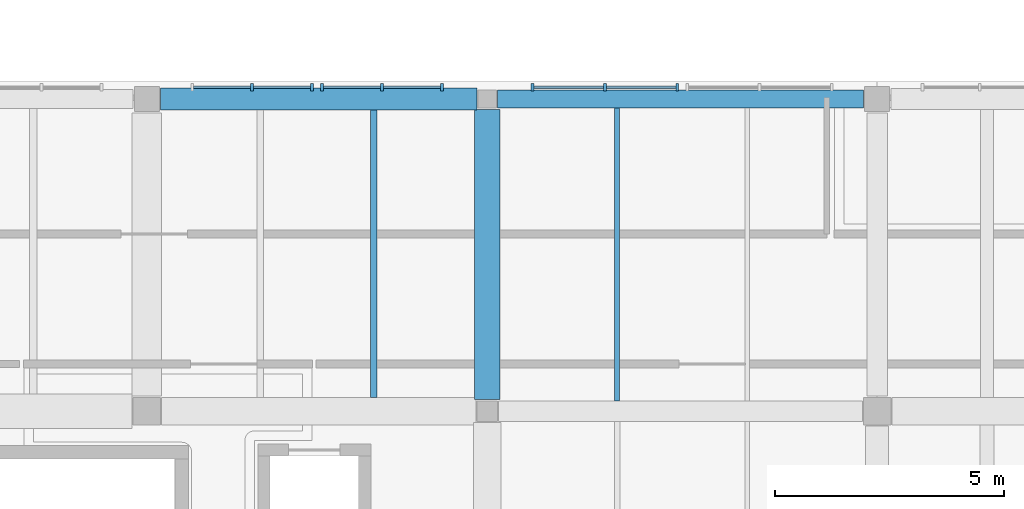
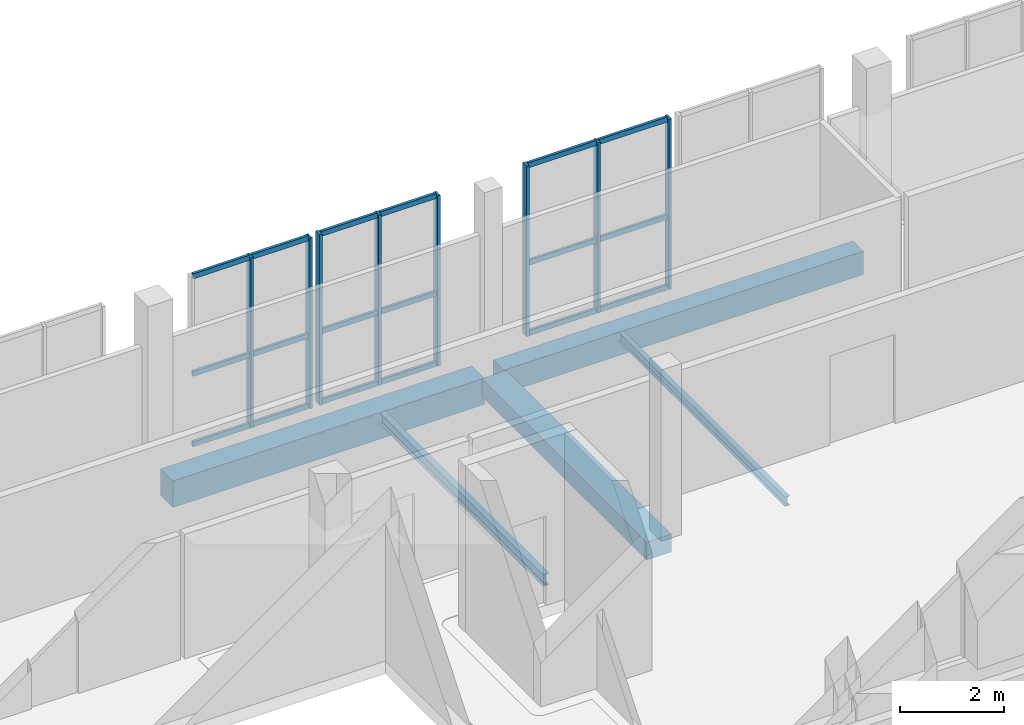
# One storey, part 12 of 56: 26 members, 5 beams, 3 elements without a shape of their own.
"""IFC4 building model written with IfcOpenShell, lengths in metres."""

from ifc_helpers import new_model, si_unit, direction, frame, origin, origin_2d, place, context, subcontext, project, spatial, rectangle, i_section, extrude, material, layer, layer_set, material_profile, profile_set, type_object, element, aggregate, save


model = new_model("IFC4")

# Units and contexts
model_context = context("Model", 3, precision=1e-05, world=origin(), true_north=direction((0.0, 1.0)))
body_context = subcontext(model_context, "Body", "Model", "MODEL_VIEW")
ifc_project = project(units=[si_unit("LENGTHUNIT", "METRE"), si_unit("AREAUNIT", "SQUARE_METRE"), si_unit("VOLUMEUNIT", "CUBIC_METRE"), si_unit("PLANEANGLEUNIT", "RADIAN"), si_unit("MASSUNIT", "GRAM", prefix="KILO")], contexts=[model_context])

# Site, building, storey
site_placement = place(None, origin())
site = spatial("IfcSite", under=ifc_project, at=site_placement, CompositionType="ELEMENT")
building_placement = place(site_placement, origin())
building = spatial("IfcBuilding", under=site, at=building_placement, Name="Vardoun Plaza Health Centre", CompositionType="ELEMENT")
storey_placement = place(building_placement, frame((0.0, 0.0, 8.699951171875)))
storey = spatial("IfcBuildingStorey", under=building, at=storey_placement, Name="L02", CompositionType="ELEMENT", Elevation=8.699951171875)

# Beams
ifc_material_1 = material(Name="Concrete C35/45", Category="concrete")
ifc_material_profile_1 = material_profile(ifc_material_1, rectangle(XDim=0.39990234375, YDim=0.550048828125, at=origin_2d()), Name="RC-BM 400x550")
ifc_profile_set_1 = profile_set([ifc_material_profile_1], Name="Concrete C35/45")
beam_type_1 = type_object("IfcBeamType", Name="B-09", PredefinedType="SPANDREL", material=ifc_profile_set_1)
beam_1_placement = place(storey_placement, frame((128.205078125, 18.52001953125, -0.570068359375), z_axis=(1.0, 0.0, 0.0), x_axis=(0.0, 1.0, 0.0)))
element("IfcBeam", 1, at=beam_1_placement, inside=storey, type_object=beam_type_1, Name="V5 L02 Beam B-V5-L02-X12", PredefinedType="SPANDREL", context=body_context, shape_type="SweptSolid", body=[
    extrude(rectangle(XDim=0.39990234375, YDim=0.550048828125, at=origin_2d()), origin(), (0.0, 0.0, 1.0), 7.994873046875),
])
ifc_material_2 = material(Name="Concrete C35/45", Category="concrete")
ifc_material_profile_2 = material_profile(ifc_material_2, rectangle(XDim=0.47998046875, YDim=0.6201171875, at=origin_2d()), Name="RC-BM 480x620")
ifc_profile_set_2 = profile_set([ifc_material_profile_2], Name="Concrete C35/45")
beam_type_2 = type_object("IfcBeamType", Name="B-12", PredefinedType="SPANDREL", material=ifc_profile_set_2)
beam_2_placement = place(storey_placement, frame((120.840087890625, 18.52001953125, -0.60498046875), z_axis=(1.0, 0.0, 0.0), x_axis=(0.0, 1.0, 0.0)))
element("IfcBeam", 2, at=beam_2_placement, inside=storey, type_object=beam_type_2, Name="V5 L02 Beam B-V5-L02-X09", PredefinedType="SPANDREL", context=body_context, shape_type="SweptSolid", body=[
    extrude(rectangle(XDim=0.47998046875, YDim=0.6201171875, at=origin_2d()), origin(), (0.0, 0.0, 1.0), 6.914794921875),
])
ifc_material_3 = material(Name="Concrete C35/45", Category="concrete")
ifc_material_profile_3 = material_profile(ifc_material_3, rectangle(XDim=0.550048828125, YDim=0.419921875, at=origin_2d()), Name="RC-BM 550x420")
ifc_profile_set_3 = profile_set([ifc_material_profile_3], Name="Concrete C35/45")
beam_type_3 = type_object("IfcBeamType", Name="B-03", PredefinedType="BEAM", material=ifc_profile_set_3)
beam_3_placement = place(storey_placement, frame((127.97998046875, 11.949951171875, -0.5048828125), z_axis=(0.0, 1.0, 0.0), x_axis=(-1.0, 0.0, 0.0)))
element("IfcBeam", 3, at=beam_3_placement, inside=storey, type_object=beam_type_3, Name="V5 L02 Beam B-V5-L02-Y31", PredefinedType="BEAM", context=body_context, shape_type="SweptSolid", body=[
    extrude(rectangle(XDim=0.550048828125, YDim=0.419921875, at=origin_2d()), origin(), (0.0, 0.0, 1.0), 6.344970703125),
])
ifc_material_4 = material(Name="Steel S355J2", Category="steel")
ifc_material_profile_4 = material_profile(ifc_material_4, i_section(OverallWidth=0.110107421875, OverallDepth=0.219970703125, WebThickness=0.005859375, FlangeThickness=0.00927734375, FilletRadius=0.011962890625, at=origin_2d()), Name="IPE 220")
ifc_profile_set_4 = profile_set([ifc_material_profile_4], Name="Steel S355J2")
beam_type_4 = type_object("IfcBeamType", Name="SB-18", PredefinedType="JOIST", material=ifc_profile_set_4)
beam_4_placement = place(storey_placement, frame((130.819580078125, 11.925048828125, -0.405029296875), z_axis=(0.0, 1.0, 0.0), x_axis=(-1.0, 0.0, 0.0)))
element("IfcBeam", 4, at=beam_4_placement, inside=storey, type_object=beam_type_4, Name="V5 L02 Secondary Floor Beam SJ-V5-L02-10", PredefinedType="JOIST", context=body_context, shape_type="SweptSolid", body=[
    extrude(i_section(OverallWidth=0.110107421875, OverallDepth=0.219970703125, WebThickness=0.005859375, FlangeThickness=0.00927734375, FilletRadius=0.011962890625, at=origin_2d()), origin(), (0.0, 0.0, 1.0), 6.39501953125),
])
ifc_material_5 = material(Name="Steel S355J2", Category="steel")
ifc_material_profile_5 = material_profile(ifc_material_5, i_section(OverallWidth=0.135009765625, OverallDepth=0.27001953125, WebThickness=0.006591796875, FlangeThickness=0.01025390625, FilletRadius=0.014892578125, at=origin_2d()), Name="IPE 270")
ifc_profile_set_5 = profile_set([ifc_material_profile_5], Name="Steel S355J2")
beam_type_5 = type_object("IfcBeamType", Name="SB-16", PredefinedType="JOIST", material=ifc_profile_set_5)
beam_5_placement = place(storey_placement, frame((125.500244140625, 12.0, -0.429931640625), z_axis=(0.0, 1.0, 0.0), x_axis=(-1.0, 0.0, 0.0)))
element("IfcBeam", 5, at=beam_5_placement, inside=storey, type_object=beam_type_5, Name="V5 L02 Secondary Floor Beam SJ-V5-L02-08", PredefinedType="JOIST", context=body_context, shape_type="SweptSolid", body=[
    extrude(i_section(OverallWidth=0.135009765625, OverallDepth=0.27001953125, WebThickness=0.006591796875, FlangeThickness=0.01025390625, FilletRadius=0.014892578125, at=origin_2d()), origin(), (0.0, 0.0, 1.0), 6.280029296875),
])

# Curtain wall, members
ifc_material_6 = material(Name="Aluminium Alloy EN AW-6063-T6 and Low-E Glass", Category="aluminium")
ifc_layer = layer(ifc_material_6, 0.14990234375)
ifc_layer_set = layer_set([ifc_layer], Name="Aluminium Alloy EN AW-6063-T6 and Low-E Glass")
curtain_wall_type = type_object("IfcCurtainWallType", Name="CW-03", PredefinedType="NOTDEFINED", material=ifc_layer_set)
curtain_wall_1_placement = place(storey_placement, origin())
curtain_wall_1 = element("IfcCurtainWall", 6, at=curtain_wall_1_placement, inside=storey, type_object=curtain_wall_type, Name="Curtain Wall CW-V5-169", PredefinedType="NOTDEFINED")
ifc_material_7 = material(Name="Aluminium Alloy EN AW-6063-T6", Category="aluminium")
ifc_material_profile_6 = material_profile(ifc_material_7, rectangle(XDim=0.159912109375, YDim=0.06005859375, at=origin_2d()), Name="CWM 60x160")
ifc_profile_set_6 = profile_set([ifc_material_profile_6], Name="Aluminium Alloy EN AW-6063-T6")
member_type_1 = type_object("IfcMemberType", Name="CW-M1", PredefinedType="MULLION", material=ifc_profile_set_6)
member_1_placement = place(storey_placement, frame((122.840087890625, 18.780029296875, 0.0), z_axis=(0.0, 0.0, 1.0), x_axis=(0.0, 1.0, 0.0)))
member_1 = element("IfcMember", 7, at=member_1_placement, type_object=member_type_1, Name="CW-V5-169 mullion 2", PredefinedType="MULLION", context=body_context, shape_type="SweptSolid", body=[
    extrude(rectangle(XDim=0.159912109375, YDim=0.06005859375, at=origin_2d()), origin(), (0.0, 0.0, 1.0), 4.005126953125),
])
member_2_placement = place(storey_placement, frame((124.150146484375, 18.780029296875, 0.0), z_axis=(0.0, 0.0, 1.0), x_axis=(0.0, 1.0, 0.0)))
member_2 = element("IfcMember", 8, at=member_2_placement, type_object=member_type_1, Name="CW-V5-169 mullion 3", PredefinedType="MULLION", context=body_context, shape_type="SweptSolid", body=[
    extrude(rectangle(XDim=0.159912109375, YDim=0.06005859375, at=origin_2d()), origin(), (0.0, 0.0, 1.0), 4.005126953125),
])

curtain_wall_2_placement = place(storey_placement, origin())
curtain_wall_2 = element("IfcCurtainWall", 9, at=curtain_wall_2_placement, inside=storey, type_object=curtain_wall_type, Name="Curtain Wall CW-V5-170", PredefinedType="NOTDEFINED")
member_3_placement = place(storey_placement, frame((124.3701171875, 18.780029296875, 0.0), z_axis=(0.0, 0.0, 1.0), x_axis=(0.0, 1.0, 0.0)))
member_3 = element("IfcMember", 10, at=member_3_placement, type_object=member_type_1, Name="CW-V5-170 mullion 1", PredefinedType="MULLION", context=body_context, shape_type="SweptSolid", body=[
    extrude(rectangle(XDim=0.159912109375, YDim=0.06005859375, at=origin_2d()), origin(), (0.0, 0.0, 1.0), 4.005126953125),
])
member_4_placement = place(storey_placement, frame((125.679931640625, 18.780029296875, 0.0), z_axis=(0.0, 0.0, 1.0), x_axis=(0.0, 1.0, 0.0)))
member_4 = element("IfcMember", 11, at=member_4_placement, type_object=member_type_1, Name="CW-V5-170 mullion 2", PredefinedType="MULLION", context=body_context, shape_type="SweptSolid", body=[
    extrude(rectangle(XDim=0.159912109375, YDim=0.06005859375, at=origin_2d()), origin(), (0.0, 0.0, 1.0), 4.005126953125),
])
member_5_placement = place(storey_placement, frame((126.989990234375, 18.780029296875, 0.0), z_axis=(0.0, 0.0, 1.0), x_axis=(0.0, 1.0, 0.0)))
member_5 = element("IfcMember", 12, at=member_5_placement, type_object=member_type_1, Name="CW-V5-170 mullion 3", PredefinedType="MULLION", context=body_context, shape_type="SweptSolid", body=[
    extrude(rectangle(XDim=0.159912109375, YDim=0.06005859375, at=origin_2d()), origin(), (0.0, 0.0, 1.0), 4.005126953125),
])

curtain_wall_3_placement = place(storey_placement, origin())
curtain_wall_3 = element("IfcCurtainWall", 13, at=curtain_wall_3_placement, inside=storey, type_object=curtain_wall_type, Name="Curtain Wall CW-V5-171", PredefinedType="NOTDEFINED")
member_6_placement = place(storey_placement, frame((128.969970703125, 18.780029296875, 0.0), z_axis=(0.0, 0.0, 1.0), x_axis=(0.0, 1.0, 0.0)))
member_6 = element("IfcMember", 14, at=member_6_placement, type_object=member_type_1, Name="CW-V5-171 mullion 1", PredefinedType="MULLION", context=body_context, shape_type="SweptSolid", body=[
    extrude(rectangle(XDim=0.159912109375, YDim=0.06005859375, at=origin_2d()), origin(), (0.0, 0.0, 1.0), 4.005126953125),
])
member_7_placement = place(storey_placement, frame((130.550048828125, 18.780029296875, 0.0), z_axis=(0.0, 0.0, 1.0), x_axis=(0.0, 1.0, 0.0)))
member_7 = element("IfcMember", 15, at=member_7_placement, type_object=member_type_1, Name="CW-V5-171 mullion 2", PredefinedType="MULLION", context=body_context, shape_type="SweptSolid", body=[
    extrude(rectangle(XDim=0.159912109375, YDim=0.06005859375, at=origin_2d()), origin(), (0.0, 0.0, 1.0), 4.005126953125),
])
member_8_placement = place(storey_placement, frame((132.1298828125, 18.780029296875, 0.0), z_axis=(0.0, 0.0, 1.0), x_axis=(0.0, 1.0, 0.0)))
member_8 = element("IfcMember", 16, at=member_8_placement, type_object=member_type_1, Name="CW-V5-171 mullion 3", PredefinedType="MULLION", context=body_context, shape_type="SweptSolid", body=[
    extrude(rectangle(XDim=0.159912109375, YDim=0.06005859375, at=origin_2d()), origin(), (0.0, 0.0, 1.0), 4.005126953125),
])

# Member
ifc_material_8 = material(Name="Aluminium Alloy EN AW-6063-T6", Category="aluminium")
ifc_material_profile_7 = material_profile(ifc_material_8, rectangle(XDim=0.06005859375, YDim=0.1201171875, at=origin_2d()), Name="CWT 60x120")
ifc_profile_set_7 = profile_set([ifc_material_profile_7], Name="Aluminium Alloy EN AW-6063-T6")
member_type_2 = type_object("IfcMemberType", Name="CW-T1", PredefinedType="USERDEFINED", material=ifc_profile_set_7)
member_9_placement = place(storey_placement, frame((121.56005859375, 18.780029296875, 0.030029296875), z_axis=(1.0, 0.0, 0.0), x_axis=(0.0, 1.0, 0.0)))
member_9 = element("IfcMember", 17, at=member_9_placement, type_object=member_type_2, Name="CW-V5-169 transom 1.1", ObjectType="TRANSOM", PredefinedType="USERDEFINED", context=body_context, shape_type="SweptSolid", body=[
    extrude(rectangle(XDim=0.06005859375, YDim=0.1201171875, at=origin_2d()), origin(), (0.0, 0.0, 1.0), 1.25),
])

member_10_placement = place(storey_placement, frame((121.56005859375, 18.780029296875, 1.68212890625), z_axis=(1.0, 0.0, 0.0), x_axis=(0.0, 1.0, 0.0)))
member_10 = element("IfcMember", 18, at=member_10_placement, type_object=member_type_2, Name="CW-V5-169 transom 1.2", ObjectType="TRANSOM", PredefinedType="USERDEFINED", context=body_context, shape_type="SweptSolid", body=[
    extrude(rectangle(XDim=0.06005859375, YDim=0.1201171875, at=origin_2d()), origin(), (0.0, 0.0, 1.0), 1.25),
])

member_11_placement = place(storey_placement, frame((121.56005859375, 18.780029296875, 3.97509765625), z_axis=(1.0, 0.0, 0.0), x_axis=(0.0, 1.0, 0.0)))
member_11 = element("IfcMember", 19, at=member_11_placement, type_object=member_type_2, Name="CW-V5-169 transom 1.3", ObjectType="TRANSOM", PredefinedType="USERDEFINED", context=body_context, shape_type="SweptSolid", body=[
    extrude(rectangle(XDim=0.06005859375, YDim=0.1201171875, at=origin_2d()), origin(), (0.0, 0.0, 1.0), 1.25),
])

member_12_placement = place(storey_placement, frame((122.8701171875, 18.780029296875, 0.030029296875), z_axis=(1.0, 0.0, 0.0), x_axis=(0.0, 1.0, 0.0)))
member_12 = element("IfcMember", 20, at=member_12_placement, type_object=member_type_2, Name="CW-V5-169 transom 2.1", ObjectType="TRANSOM", PredefinedType="USERDEFINED", context=body_context, shape_type="SweptSolid", body=[
    extrude(rectangle(XDim=0.06005859375, YDim=0.1201171875, at=origin_2d()), origin(), (0.0, 0.0, 1.0), 1.25),
])

member_13_placement = place(storey_placement, frame((122.8701171875, 18.780029296875, 1.68212890625), z_axis=(1.0, 0.0, 0.0), x_axis=(0.0, 1.0, 0.0)))
member_13 = element("IfcMember", 21, at=member_13_placement, type_object=member_type_2, Name="CW-V5-169 transom 2.2", ObjectType="TRANSOM", PredefinedType="USERDEFINED", context=body_context, shape_type="SweptSolid", body=[
    extrude(rectangle(XDim=0.06005859375, YDim=0.1201171875, at=origin_2d()), origin(), (0.0, 0.0, 1.0), 1.25),
])

member_14_placement = place(storey_placement, frame((122.8701171875, 18.780029296875, 3.97509765625), z_axis=(1.0, 0.0, 0.0), x_axis=(0.0, 1.0, 0.0)))
member_14 = element("IfcMember", 22, at=member_14_placement, type_object=member_type_2, Name="CW-V5-169 transom 2.3", ObjectType="TRANSOM", PredefinedType="USERDEFINED", context=body_context, shape_type="SweptSolid", body=[
    extrude(rectangle(XDim=0.06005859375, YDim=0.1201171875, at=origin_2d()), origin(), (0.0, 0.0, 1.0), 1.25),
])

aggregate(curtain_wall_1, [member_1, member_2, member_9, member_10, member_11, member_12, member_13, member_14])

member_15_placement = place(storey_placement, frame((124.400146484375, 18.780029296875, 0.030029296875), z_axis=(1.0, 0.0, 0.0), x_axis=(0.0, 1.0, 0.0)))
member_15 = element("IfcMember", 23, at=member_15_placement, type_object=member_type_2, Name="CW-V5-170 transom 1.1", ObjectType="TRANSOM", PredefinedType="USERDEFINED", context=body_context, shape_type="SweptSolid", body=[
    extrude(rectangle(XDim=0.06005859375, YDim=0.1201171875, at=origin_2d()), origin(), (0.0, 0.0, 1.0), 1.25),
])

member_16_placement = place(storey_placement, frame((124.400146484375, 18.780029296875, 1.68212890625), z_axis=(1.0, 0.0, 0.0), x_axis=(0.0, 1.0, 0.0)))
member_16 = element("IfcMember", 24, at=member_16_placement, type_object=member_type_2, Name="CW-V5-170 transom 1.2", ObjectType="TRANSOM", PredefinedType="USERDEFINED", context=body_context, shape_type="SweptSolid", body=[
    extrude(rectangle(XDim=0.06005859375, YDim=0.1201171875, at=origin_2d()), origin(), (0.0, 0.0, 1.0), 1.25),
])

member_17_placement = place(storey_placement, frame((124.400146484375, 18.780029296875, 3.97509765625), z_axis=(1.0, 0.0, 0.0), x_axis=(0.0, 1.0, 0.0)))
member_17 = element("IfcMember", 25, at=member_17_placement, type_object=member_type_2, Name="CW-V5-170 transom 1.3", ObjectType="TRANSOM", PredefinedType="USERDEFINED", context=body_context, shape_type="SweptSolid", body=[
    extrude(rectangle(XDim=0.06005859375, YDim=0.1201171875, at=origin_2d()), origin(), (0.0, 0.0, 1.0), 1.25),
])

member_18_placement = place(storey_placement, frame((125.7099609375, 18.780029296875, 0.030029296875), z_axis=(1.0, 0.0, 0.0), x_axis=(0.0, 1.0, 0.0)))
member_18 = element("IfcMember", 26, at=member_18_placement, type_object=member_type_2, Name="CW-V5-170 transom 2.1", ObjectType="TRANSOM", PredefinedType="USERDEFINED", context=body_context, shape_type="SweptSolid", body=[
    extrude(rectangle(XDim=0.06005859375, YDim=0.1201171875, at=origin_2d()), origin(), (0.0, 0.0, 1.0), 1.25),
])

member_19_placement = place(storey_placement, frame((125.7099609375, 18.780029296875, 1.68212890625), z_axis=(1.0, 0.0, 0.0), x_axis=(0.0, 1.0, 0.0)))
member_19 = element("IfcMember", 27, at=member_19_placement, type_object=member_type_2, Name="CW-V5-170 transom 2.2", ObjectType="TRANSOM", PredefinedType="USERDEFINED", context=body_context, shape_type="SweptSolid", body=[
    extrude(rectangle(XDim=0.06005859375, YDim=0.1201171875, at=origin_2d()), origin(), (0.0, 0.0, 1.0), 1.25),
])

member_20_placement = place(storey_placement, frame((125.7099609375, 18.780029296875, 3.97509765625), z_axis=(1.0, 0.0, 0.0), x_axis=(0.0, 1.0, 0.0)))
member_20 = element("IfcMember", 28, at=member_20_placement, type_object=member_type_2, Name="CW-V5-170 transom 2.3", ObjectType="TRANSOM", PredefinedType="USERDEFINED", context=body_context, shape_type="SweptSolid", body=[
    extrude(rectangle(XDim=0.06005859375, YDim=0.1201171875, at=origin_2d()), origin(), (0.0, 0.0, 1.0), 1.25),
])

aggregate(curtain_wall_2, [member_3, member_4, member_5, member_15, member_16, member_17, member_18, member_19, member_20])

member_21_placement = place(storey_placement, frame((129.0, 18.780029296875, 0.030029296875), z_axis=(1.0, 0.0, 0.0), x_axis=(0.0, 1.0, 0.0)))
member_21 = element("IfcMember", 29, at=member_21_placement, type_object=member_type_2, Name="CW-V5-171 transom 1.1", ObjectType="TRANSOM", PredefinedType="USERDEFINED", context=body_context, shape_type="SweptSolid", body=[
    extrude(rectangle(XDim=0.06005859375, YDim=0.1201171875, at=origin_2d()), origin(), (0.0, 0.0, 1.0), 1.52001953125),
])

member_22_placement = place(storey_placement, frame((129.0, 18.780029296875, 1.68212890625), z_axis=(1.0, 0.0, 0.0), x_axis=(0.0, 1.0, 0.0)))
member_22 = element("IfcMember", 30, at=member_22_placement, type_object=member_type_2, Name="CW-V5-171 transom 1.2", ObjectType="TRANSOM", PredefinedType="USERDEFINED", context=body_context, shape_type="SweptSolid", body=[
    extrude(rectangle(XDim=0.06005859375, YDim=0.1201171875, at=origin_2d()), origin(), (0.0, 0.0, 1.0), 1.52001953125),
])

member_23_placement = place(storey_placement, frame((129.0, 18.780029296875, 3.97509765625), z_axis=(1.0, 0.0, 0.0), x_axis=(0.0, 1.0, 0.0)))
member_23 = element("IfcMember", 31, at=member_23_placement, type_object=member_type_2, Name="CW-V5-171 transom 1.3", ObjectType="TRANSOM", PredefinedType="USERDEFINED", context=body_context, shape_type="SweptSolid", body=[
    extrude(rectangle(XDim=0.06005859375, YDim=0.1201171875, at=origin_2d()), origin(), (0.0, 0.0, 1.0), 1.52001953125),
])

member_24_placement = place(storey_placement, frame((130.580078125, 18.780029296875, 0.030029296875), z_axis=(1.0, 0.0, 0.0), x_axis=(0.0, 1.0, 0.0)))
member_24 = element("IfcMember", 32, at=member_24_placement, type_object=member_type_2, Name="CW-V5-171 transom 2.1", ObjectType="TRANSOM", PredefinedType="USERDEFINED", context=body_context, shape_type="SweptSolid", body=[
    extrude(rectangle(XDim=0.06005859375, YDim=0.1201171875, at=origin_2d()), origin(), (0.0, 0.0, 1.0), 1.52001953125),
])

member_25_placement = place(storey_placement, frame((130.580078125, 18.780029296875, 1.68212890625), z_axis=(1.0, 0.0, 0.0), x_axis=(0.0, 1.0, 0.0)))
member_25 = element("IfcMember", 33, at=member_25_placement, type_object=member_type_2, Name="CW-V5-171 transom 2.2", ObjectType="TRANSOM", PredefinedType="USERDEFINED", context=body_context, shape_type="SweptSolid", body=[
    extrude(rectangle(XDim=0.06005859375, YDim=0.1201171875, at=origin_2d()), origin(), (0.0, 0.0, 1.0), 1.52001953125),
])

member_26_placement = place(storey_placement, frame((130.580078125, 18.780029296875, 3.97509765625), z_axis=(1.0, 0.0, 0.0), x_axis=(0.0, 1.0, 0.0)))
member_26 = element("IfcMember", 34, at=member_26_placement, type_object=member_type_2, Name="CW-V5-171 transom 2.3", ObjectType="TRANSOM", PredefinedType="USERDEFINED", context=body_context, shape_type="SweptSolid", body=[
    extrude(rectangle(XDim=0.06005859375, YDim=0.1201171875, at=origin_2d()), origin(), (0.0, 0.0, 1.0), 1.52001953125),
])

aggregate(curtain_wall_3, [member_6, member_7, member_8, member_21, member_22, member_23, member_24, member_25, member_26])

save(model, "model.ifc")
